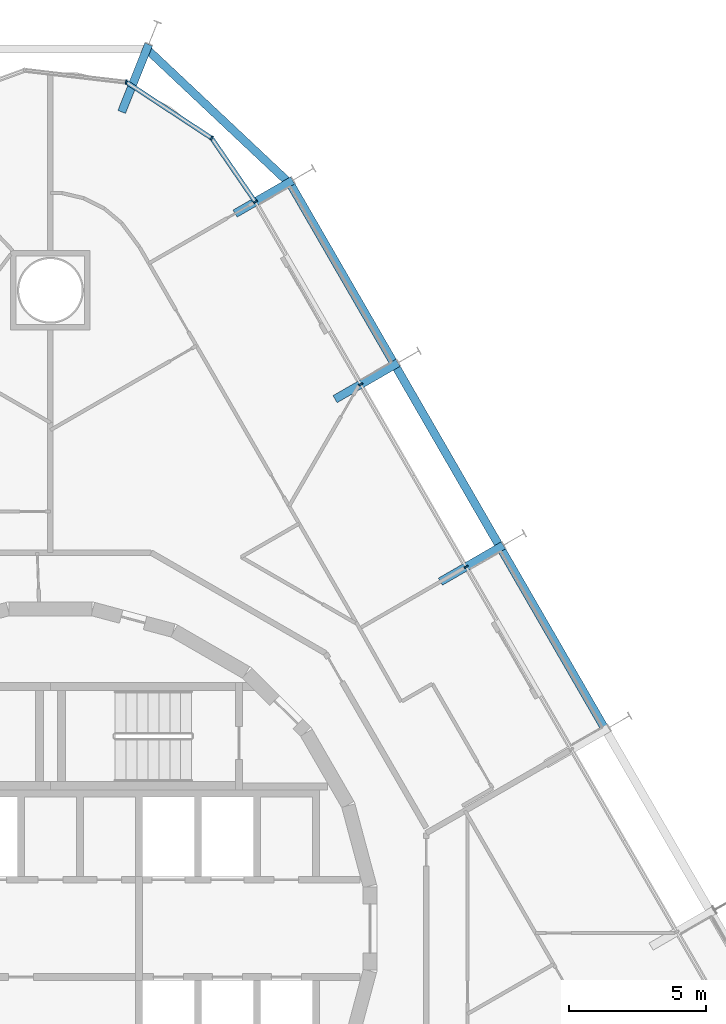
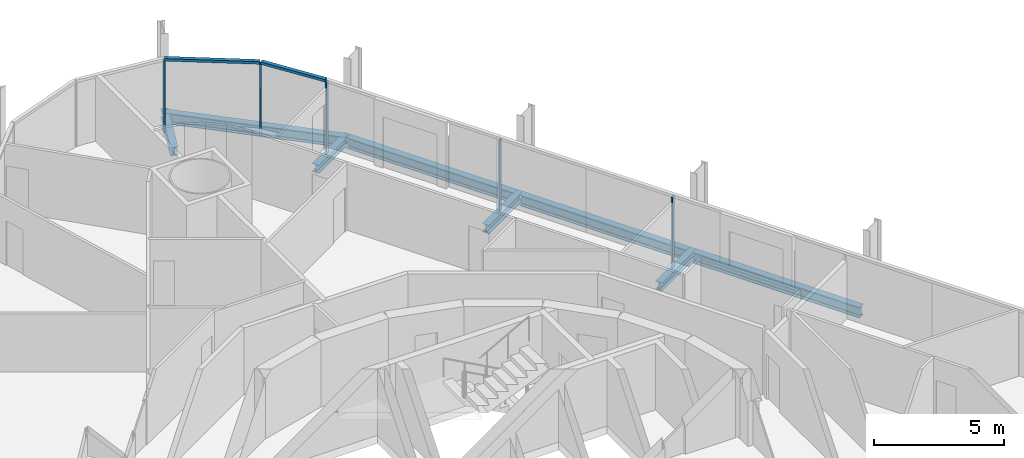
# One storey, part 10 of 20: 8 beams, 7 members, 2 elements without a shape of their own.
"""IFC4 building model written with IfcOpenShell, lengths in metres."""

from ifc_helpers import new_model, si_unit, direction, frame, origin, origin_2d, place, context, subcontext, project, spatial, rectangle, i_section, extrude, material, layer, layer_set, material_profile, profile_set, type_object, element, aggregate, save


model = new_model("IFC4")

# Units and contexts
model_context = context("Model", 3, precision=1e-05, world=origin(), true_north=direction((0.0, 1.0)))
body_context = subcontext(model_context, "Body", "Model", "MODEL_VIEW")
ifc_project = project(units=[si_unit("LENGTHUNIT", "METRE"), si_unit("AREAUNIT", "SQUARE_METRE"), si_unit("VOLUMEUNIT", "CUBIC_METRE"), si_unit("PLANEANGLEUNIT", "RADIAN"), si_unit("MASSUNIT", "GRAM", prefix="KILO")], contexts=[model_context])

# Site, building, storey
site_placement = place(None, origin())
site = spatial("IfcSite", under=ifc_project, at=site_placement, CompositionType="ELEMENT")
building_placement = place(site_placement, origin())
building = spatial("IfcBuilding", under=site, at=building_placement, Name="Spindle Arch Residences", CompositionType="ELEMENT")
storey_placement = place(building_placement, frame((0.0, 0.0, 41.89990234375)))
storey = spatial("IfcBuildingStorey", under=building, at=storey_placement, Name="L08", CompositionType="ELEMENT", Elevation=41.89990234375)

# Curtain wall, members
ifc_material_1 = material(Name="Aluminium bronze unitised frame with tinted glass", Category="aluminium")
ifc_layer_1 = layer(ifc_material_1, 0.159912109375)
ifc_layer_set_1 = layer_set([ifc_layer_1], Name="CW-C typical residential unitised wall")
curtain_wall_type_1 = type_object("IfcCurtainWallType", Name="CW-C typical residential unitised wall", PredefinedType="NOTDEFINED", material=ifc_layer_set_1)
curtain_wall_1_placement = place(storey_placement, origin())
curtain_wall_1 = element("IfcCurtainWall", 1, at=curtain_wall_1_placement, inside=storey, type_object=curtain_wall_type_1, Name="CW-C L08 run 2", PredefinedType="NOTDEFINED")
ifc_material_2 = material(Name="Aluminium bronze anodised mullion", Category="aluminium")
ifc_material_profile_1 = material_profile(ifc_material_2, rectangle(XDim=0.159912109375, YDim=0.06005859375, at=origin_2d()), Name="MU 60x160")
ifc_profile_set_1 = profile_set([ifc_material_profile_1], Name="Aluminium bronze anodised mullion")
member_type_1 = type_object("IfcMemberType", Name="Bronze mullion 60x160", PredefinedType="MULLION", material=ifc_profile_set_1)
member_1_placement = place(storey_placement, frame((15.149169921875, 13.180419921875, -0.3798828125), z_axis=(0.0, 0.0, 1.0), x_axis=(-0.866025403784, -0.5, 0.0)))
member_1 = element("IfcMember", 2, at=member_1_placement, type_object=member_type_1, Name="CW-C mullion 08", PredefinedType="MULLION", context=body_context, shape_type="SweptSolid", body=[
    extrude(rectangle(XDim=0.159912109375, YDim=0.06005859375, at=origin_2d()), origin(), (0.0, 0.0, 1.0), 3.3798828125),
])
member_2_placement = place(storey_placement, frame((11.309326171875, 19.83154296875, -0.3798828125), z_axis=(0.0, 0.0, 1.0), x_axis=(-0.866025403784, -0.5, 0.0)))
member_2 = element("IfcMember", 3, at=member_2_placement, type_object=member_type_1, Name="CW-C mullion 09", PredefinedType="MULLION", context=body_context, shape_type="SweptSolid", body=[
    extrude(rectangle(XDim=0.159912109375, YDim=0.06005859375, at=origin_2d()), origin(), (0.0, 0.0, 1.0), 3.3798828125),
])
aggregate(curtain_wall_1, [member_1, member_2])

ifc_material_3 = material(Name="Aluminium bronze unitised frame with tinted glass", Category="aluminium")
ifc_layer_2 = layer(ifc_material_3, 0.159912109375)
ifc_layer_set_2 = layer_set([ifc_layer_2], Name="CW-D corner wall on the fillet arcs")
curtain_wall_type_2 = type_object("IfcCurtainWallType", Name="CW-D corner wall on the fillet arcs", PredefinedType="NOTDEFINED", material=ifc_layer_set_2)
curtain_wall_2_placement = place(storey_placement, origin())
curtain_wall_2 = element("IfcCurtainWall", 4, at=curtain_wall_2_placement, inside=storey, type_object=curtain_wall_type_2, Name="CW-D L08 run 3", PredefinedType="NOTDEFINED")
member_3_placement = place(storey_placement, frame((7.46923828125, 26.48291015625, -0.3798828125), z_axis=(0.0, 0.0, 1.0), x_axis=(-0.824747802142, -0.565500718711, 0.0)))
member_3 = element("IfcMember", 5, at=member_3_placement, type_object=member_type_1, Name="CW-D mullion 00", PredefinedType="MULLION", context=body_context, shape_type="SweptSolid", body=[
    extrude(rectangle(XDim=0.159912109375, YDim=0.06005859375, at=origin_2d()), origin(), (0.0, 0.0, 1.0), 3.3798828125),
])
member_4_placement = place(storey_placement, frame((5.877197265625, 28.8046875, -0.3798828125), z_axis=(0.0, 0.0, 1.0), x_axis=(-0.549508977628, -0.835487811704, 0.0)))
member_4 = element("IfcMember", 6, at=member_4_placement, type_object=member_type_1, Name="CW-D mullion 01", PredefinedType="MULLION", context=body_context, shape_type="SweptSolid", body=[
    extrude(rectangle(XDim=0.159912109375, YDim=0.06005859375, at=origin_2d()), origin(), (0.0, 0.0, 1.0), 3.3798828125),
])
member_5_placement = place(storey_placement, frame((2.763427734375, 30.8525390625, -0.3798828125), z_axis=(0.0, 0.0, 1.0), x_axis=(-0.116092915414, -0.993238357591, 0.0)))
member_5 = element("IfcMember", 7, at=member_5_placement, type_object=member_type_1, Name="CW-D mullion 02", PredefinedType="MULLION", context=body_context, shape_type="SweptSolid", body=[
    extrude(rectangle(XDim=0.159912109375, YDim=0.06005859375, at=origin_2d()), origin(), (0.0, 0.0, 1.0), 3.3798828125),
])
ifc_material_4 = material(Name="Aluminium bronze anodised transom", Category="aluminium")
ifc_material_profile_2 = material_profile(ifc_material_4, rectangle(XDim=0.159912109375, YDim=0.1201171875, at=origin_2d()), Name="TR 120x160")
ifc_profile_set_2 = profile_set([ifc_material_profile_2], Name="Aluminium bronze anodised transom")
member_type_2 = type_object("IfcMemberType", Name="Bronze transom 120x160", PredefinedType="USERDEFINED", material=ifc_profile_set_2)
member_6_placement = place(storey_placement, frame((7.4521484375, 26.507568359375, 3.06005859375), z_axis=(-0.565490471855, 0.824754827958, 0.0), x_axis=(-0.824754827958, -0.565490471855, 0.0)))
member_6 = element("IfcMember", 8, at=member_6_placement, type_object=member_type_2, Name="CW-D transom 00", ObjectType="TRANSOM", PredefinedType="USERDEFINED", context=body_context, shape_type="SweptSolid", body=[
    extrude(rectangle(XDim=0.159912109375, YDim=0.1201171875, at=origin_2d()), origin(), (0.0, 0.0, 1.0), 2.75537109375),
])
member_7_placement = place(storey_placement, frame((5.85205078125, 28.821044921875, 3.06005859375), z_axis=(-0.835486265536, 0.549511328456, 0.0), x_axis=(-0.549511328456, -0.835486265536, 0.0)))
member_7 = element("IfcMember", 9, at=member_7_placement, type_object=member_type_2, Name="CW-D transom 01", ObjectType="TRANSOM", PredefinedType="USERDEFINED", context=body_context, shape_type="SweptSolid", body=[
    extrude(rectangle(XDim=0.159912109375, YDim=0.1201171875, at=origin_2d()), origin(), (0.0, 0.0, 1.0), 3.666748046875),
])
aggregate(curtain_wall_2, [member_3, member_6, member_4, member_7, member_5])

# Beams
ifc_material_5 = material(Name="Steel S460ML, intumescent coating R 120", Category="steel")
ifc_material_profile_3 = material_profile(ifc_material_5, i_section(OverallWidth=0.300048828125, OverallDepth=0.5, WebThickness=0.014404296875, FlangeThickness=0.028076171875, FilletRadius=0.027099609375, at=origin_2d()), Name="HEB 500")
ifc_profile_set_3 = profile_set([ifc_material_profile_3], Name="Steel S460ML, intumescent coating R 120")
beam_type_1 = type_object("IfcBeamType", Name="Exoskeleton edge beam HEB 500", PredefinedType="BEAM", material=ifc_profile_set_3)
for number, where, z_axis, x_axis, name in (
    (10, (20.165283203125, 7.3583984375, -0.6298828125), (-0.5000139068, 0.866017374541, 0.0), (-0.866017374541, -0.5000139068, 0.0), "Exoskeleton edge beam 8"),
    (11, (16.3251953125, 14.009521484375, -0.6298828125), (-0.49998923004, 0.866031621735, 0.0), (-0.866031621735, -0.49998923004, 0.0), "Exoskeleton edge beam 9"),
):
    element("IfcBeam", number, at=place(storey_placement, frame(where, z_axis=z_axis, x_axis=x_axis)), inside=storey, type_object=beam_type_1, Name=name, PredefinedType="BEAM", context=body_context, shape_type="SweptSolid", body=[
        extrude(i_section(OverallWidth=0.300048828125, OverallDepth=0.5, WebThickness=0.014404296875, FlangeThickness=0.028076171875, FilletRadius=0.027099609375, at=origin_2d()), origin(), (0.0, 0.0, 1.0), 7.420166015625),
    ])
beam_1_placement = place(storey_placement, frame((12.485107421875, 20.660888671875, -0.6298828125), z_axis=(-0.500003477455, 0.866023396066, 0.0), x_axis=(-0.866023396066, -0.500003477455, 0.0)))
element("IfcBeam", 12, at=beam_1_placement, inside=storey, type_object=beam_type_1, Name="Exoskeleton edge beam 10", PredefinedType="BEAM", context=body_context, shape_type="SweptSolid", body=[
    extrude(i_section(OverallWidth=0.300048828125, OverallDepth=0.5, WebThickness=0.014404296875, FlangeThickness=0.028076171875, FilletRadius=0.027099609375, at=origin_2d()), origin(), (0.0, 0.0, 1.0), 7.419921875),
])
beam_2_placement = place(storey_placement, frame((8.739501953125, 27.13818359375, -0.6298828125), z_axis=(-0.728394714383, 0.685157748303, 0.0), x_axis=(-0.685157748303, -0.728394714383, 0.0)))
element("IfcBeam", 13, at=beam_2_placement, inside=storey, type_object=beam_type_1, Name="Exoskeleton edge beam 11", PredefinedType="BEAM", context=body_context, shape_type="SweptSolid", body=[
    extrude(i_section(OverallWidth=0.300048828125, OverallDepth=0.5, WebThickness=0.014404296875, FlangeThickness=0.028076171875, FilletRadius=0.027099609375, at=origin_2d()), origin(), (0.0, 0.0, 1.0), 7.250244140625),
])
ifc_material_6 = material(Name="Steel S460ML, intumescent coating R 120", Category="steel")
ifc_material_profile_4 = material_profile(ifc_material_6, i_section(OverallWidth=0.300048828125, OverallDepth=0.389892578125, WebThickness=0.010986328125, FlangeThickness=0.01904296875, FilletRadius=0.027099609375, at=origin_2d()), Name="HEA 400")
ifc_profile_set_4 = profile_set([ifc_material_profile_4], Name="Steel S460ML, intumescent coating R 120")
beam_type_2 = type_object("IfcBeamType", Name="Floor outrigger HEA 400", PredefinedType="BEAM", material=ifc_profile_set_4)
for number, where, z_axis, x_axis, name in (
    (14, (16.5087890625, 13.965576171875, -0.574951171875), (-0.865989200783, -0.500062700197, 0.0), (0.500062700197, -0.865989200783, 0.0), "Floor outrigger 9"),
    (15, (12.6689453125, 20.61669921875, -0.574951171875), (-0.866052124492, -0.499953715521, 0.0), (0.499953715521, -0.866052124492, 0.0), "Floor outrigger 10"),
):
    element("IfcBeam", number, at=place(storey_placement, frame(where, z_axis=z_axis, x_axis=x_axis)), inside=storey, type_object=beam_type_2, Name=name, PredefinedType="BEAM", context=body_context, shape_type="SweptSolid", body=[
        extrude(i_section(OverallWidth=0.300048828125, OverallDepth=0.389892578125, WebThickness=0.010986328125, FlangeThickness=0.01904296875, FilletRadius=0.027099609375, at=origin_2d()), origin(), (0.0, 0.0, 1.0), 2.650146484375),
    ])
beam_3_placement = place(storey_placement, frame((8.828857421875, 27.267822265625, -0.574951171875), z_axis=(-0.866002732682, -0.500039265445, 0.0), x_axis=(0.500039265445, -0.866002732682, 0.0)))
element("IfcBeam", 16, at=beam_3_placement, inside=storey, type_object=beam_type_2, Name="Floor outrigger 11", PredefinedType="BEAM", context=body_context, shape_type="SweptSolid", body=[
    extrude(i_section(OverallWidth=0.300048828125, OverallDepth=0.389892578125, WebThickness=0.010986328125, FlangeThickness=0.01904296875, FilletRadius=0.027099609375, at=origin_2d()), origin(), (0.0, 0.0, 1.0), 2.423583984375),
])
beam_4_placement = place(storey_placement, frame((3.581298828125, 32.220703125, -0.574951171875), z_axis=(-0.371104734129, -0.928591016706, 0.0), x_axis=(0.928591016706, -0.371104734129, 0.0)))
element("IfcBeam", 17, at=beam_4_placement, inside=storey, type_object=beam_type_2, Name="Floor outrigger 12", PredefinedType="BEAM", context=body_context, shape_type="SweptSolid", body=[
    extrude(i_section(OverallWidth=0.300048828125, OverallDepth=0.389892578125, WebThickness=0.010986328125, FlangeThickness=0.01904296875, FilletRadius=0.027099609375, at=origin_2d()), origin(), (0.0, 0.0, 1.0), 2.64990234375),
])

save(model, "model.ifc")
